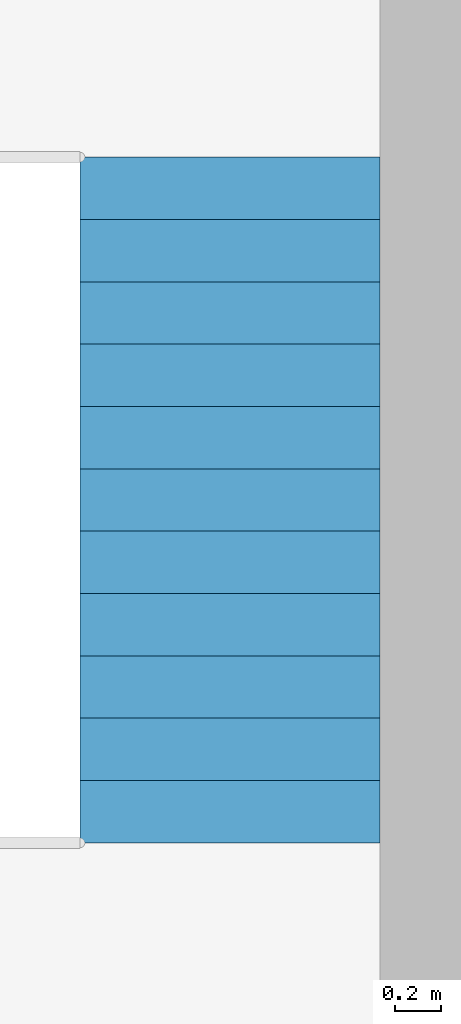
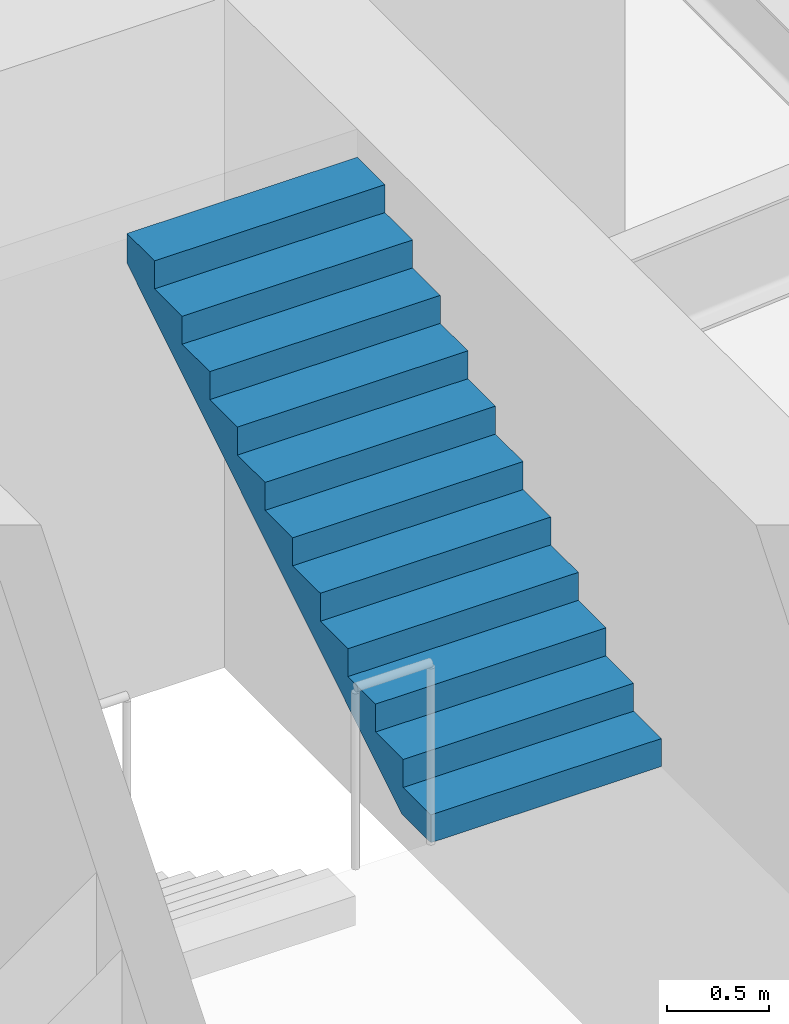
# One storey, part 8 of 10: 1 stair flight, 1 element without a shape of its own.
"""IFC4 building model written with IfcOpenShell, lengths in metres."""

from ifc_helpers import new_model, si_unit, direction, frame, origin, place, context, subcontext, project, spatial, polyline, outline, extrude, material, type_object, element, aggregate, save


model = new_model("IFC4")

# Units and contexts
model_context = context("Model", 3, precision=1e-05, world=origin(), true_north=direction((0.0, 1.0)))
body_context = subcontext(model_context, "Body", "Model", "MODEL_VIEW")
ifc_project = project(units=[si_unit("LENGTHUNIT", "METRE"), si_unit("AREAUNIT", "SQUARE_METRE"), si_unit("VOLUMEUNIT", "CUBIC_METRE"), si_unit("PLANEANGLEUNIT", "RADIAN"), si_unit("MASSUNIT", "GRAM", prefix="KILO")], contexts=[model_context])

# Site, building, storey
site_placement = place(None, origin())
site = spatial("IfcSite", under=ifc_project, at=site_placement, CompositionType="ELEMENT")
building_placement = place(site_placement, origin())
building = spatial("IfcBuilding", under=site, at=building_placement, Name="Isbrekke Arena Tower", CompositionType="ELEMENT")
storey_placement = place(building_placement, frame((0.0, 0.0, 182.0)))
storey = spatial("IfcBuildingStorey", under=building, at=storey_placement, Name="L41", CompositionType="ELEMENT", Elevation=182.0)

# Stair, stair flight
ifc_material_1 = material(Name="Concrete B45 (C45/55) precast", Category="concrete")
stair_type = type_object("IfcStairType", Name="ST40 STAIR 1300 WIDE, 24 RISERS 167", PredefinedType="HALF_TURN_STAIR", material=ifc_material_1)
stair_placement = place(storey_placement, origin())
stair = element("IfcStair", 1, at=stair_placement, inside=storey, type_object=stair_type, Name="ST2 stair L41", PredefinedType="HALF_TURN_STAIR")
ifc_material_2 = material(Name="Concrete B45 (C45/55) precast", Category="concrete")
stair_flight_type = type_object("IfcStairFlightType", Name="SF 1300 FLIGHT", PredefinedType="STRAIGHT", material=ifc_material_2)
stair_flight_placement = place(storey_placement, frame((12.89990234375, 19.280029296875, 2.0), z_axis=(0.0, 0.0, 1.0), x_axis=(0.0, 1.0, 0.0)))
stair_flight = element("IfcStairFlight", 2, at=stair_flight_placement, type_object=stair_flight_type, Name="ST2 flight 2", NumberOfRisers=12, NumberOfTreads=11, PredefinedType="STRAIGHT", RiserHeight=0.166666667, TreadLength=0.27, context=body_context, shape_type="SweptSolid", body=[
    extrude(outline(polyline([(0.0, 0.0), (0.0, 0.166748046875), (0.27001953125, 0.166748046875), (0.27001953125, 0.333251953125), (0.5400390625, 0.333251953125), (0.5400390625, 0.5), (0.81005859375, 0.5), (0.81005859375, 0.666748046875), (1.080078125, 0.666748046875), (1.080078125, 0.833251953125), (1.35009765625, 0.833251953125), (1.35009765625, 1.0), (1.6201171875, 1.0), (1.6201171875, 1.166748046875), (1.889892578125, 1.166748046875), (1.889892578125, 1.333251953125), (2.159912109375, 1.333251953125), (2.159912109375, 1.5), (2.429931640625, 1.5), (2.429931640625, 1.666748046875), (2.699951171875, 1.666748046875), (2.699951171875, 1.833251953125), (2.969970703125, 1.833251953125), (2.969970703125, 2.0), (2.969970703125, 1.6572265625), (0.285400390625, 0.0), (0.0, 0.0)])), frame((0.0, 0.64990234375, 0.0), z_axis=(0.0, -1.0, 0.0), x_axis=(1.0, 0.0, 0.0)), (0.0, 0.0, 1.0), 1.300048828125),
])
aggregate(stair, [stair_flight])

save(model, "model.ifc")
